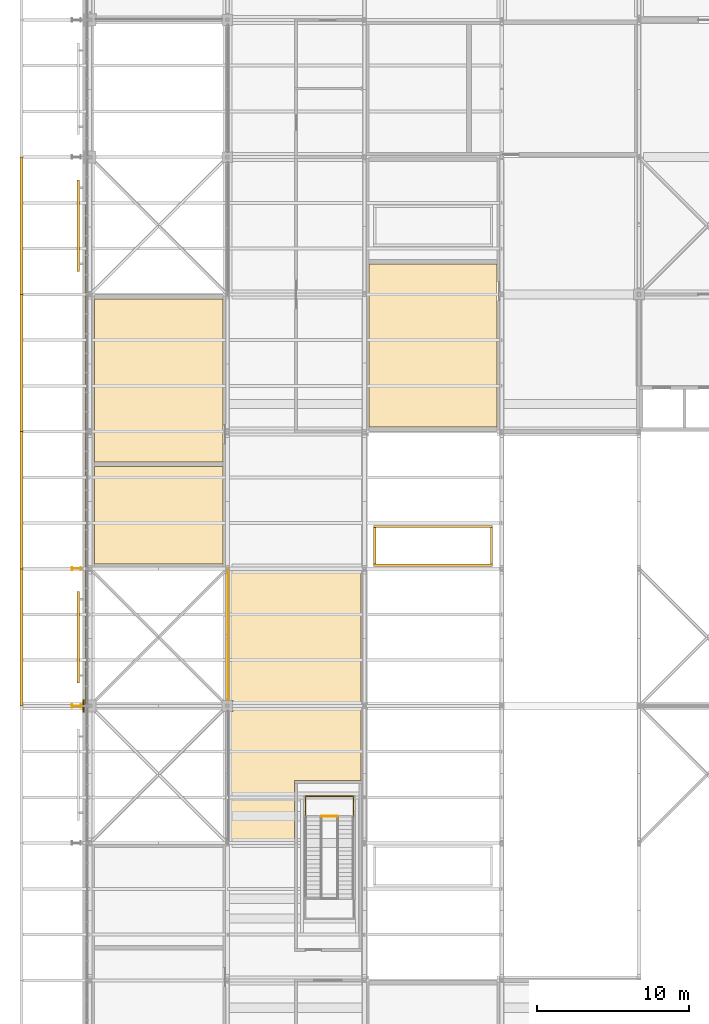
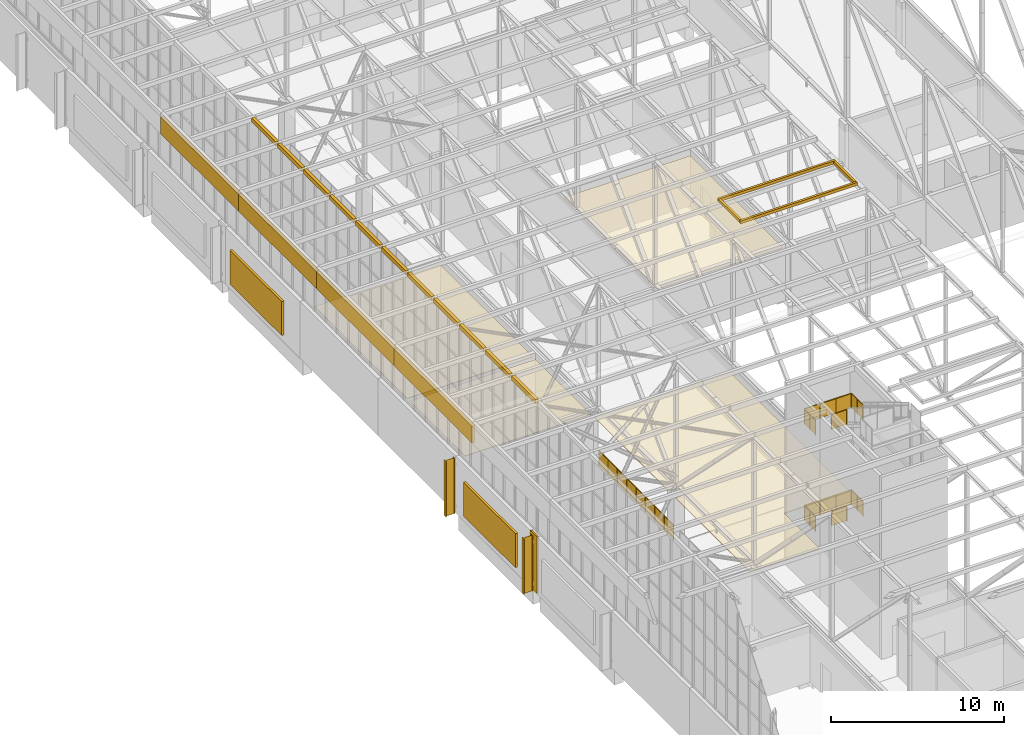
# One storey, part 634 of 646: 24 coverings, 5 railings, 4 shading devices.
"""IFC4 building model written with IfcOpenShell, lengths in metres."""

from ifc_helpers import new_model, si_unit, direction, frame, origin, origin_2d, place, context, subcontext, project, spatial, polyline, rectangle, circle, i_section, outline, extrude, material, layer, layer_set, material_profile, profile_set, type_object, element, save


model = new_model("IFC4")

# Units and contexts
model_context = context("Model", 3, precision=1e-05, world=origin(), true_north=direction((0.0, 1.0)))
body_context = subcontext(model_context, "Body", "Model", "MODEL_VIEW")
ifc_project = project(units=[si_unit("LENGTHUNIT", "METRE"), si_unit("AREAUNIT", "SQUARE_METRE"), si_unit("VOLUMEUNIT", "CUBIC_METRE"), si_unit("PLANEANGLEUNIT", "RADIAN"), si_unit("MASSUNIT", "GRAM", prefix="KILO")], contexts=[model_context])

# Site, building, storey
site_placement = place(None, origin())
site = spatial("IfcSite", under=ifc_project, at=site_placement, CompositionType="ELEMENT")
building_placement = place(site_placement, origin())
building = spatial("IfcBuilding", under=site, at=building_placement, Name="Silverbay Arena", CompositionType="ELEMENT")
storey_placement = place(building_placement, frame((0.0, 0.0, 33.5)))
storey = spatial("IfcBuildingStorey", under=building, at=storey_placement, Name="L05", CompositionType="ELEMENT", Elevation=33.5)

# Coverings
ifc_material_1 = material(Name="Aluminium composite cladding", Category="aluminium")
ifc_layer_1 = layer(ifc_material_1, 0.10009765625)
ifc_layer_set_1 = layer_set([ifc_layer_1], Name="Aluminium composite cladding")
covering_type_1 = type_object("IfcCoveringType", Name="Column cladding 100", PredefinedType="CLADDING", material=ifc_layer_set_1)
covering_1_placement = place(storey_placement, origin())
element("IfcCovering", 1, at=covering_1_placement, inside=storey, type_object=covering_type_1, Name="West column cladding L05 9", PredefinedType="CLADDING", context=body_context, shape_type="SweptSolid", body=[
    extrude(outline(polyline([(53.5, 80.60009765625), (53.60009765625, 80.60009765625), (53.60009765625, 81.39990234375), (53.5, 81.39990234375), (53.5, 80.60009765625)])), origin(), (0.0, 0.0, 1.0), 4.0),
])
ifc_material_2 = material(Name="Fire-resisting board ceiling")
ifc_layer_2 = layer(ifc_material_2, 0.050048828125)
ifc_layer_set_2 = layer_set([ifc_layer_2], Name="Fire-resisting board ceiling")
covering_type_2 = type_object("IfcCoveringType", Name="Fire-resisting ceiling EI 120", PredefinedType="CEILING", material=ifc_layer_set_2)
covering_2_placement = place(storey_placement, frame((0.0, 0.0, 3.5)))
element("IfcCovering", 2, at=covering_2_placement, inside=storey, type_object=covering_type_2, Name="Fire-resisting ceiling 08", PredefinedType="CEILING", context=body_context, shape_type="SweptSolid", body=[
    extrude(outline(polyline([(62.72998046875, 80.590087890625), (62.72998046875, 72.06005859375), (62.97998046875, 72.06005859375), (62.97998046875, 72.030029296875), (63.030029296875, 72.030029296875), (63.030029296875, 72.02001953125), (67.39990234375, 72.02001953125), (67.39990234375, 76.10009765625), (71.77001953125, 76.10009765625), (71.77001953125, 90.02001953125), (63.030029296875, 90.02001953125), (63.030029296875, 89.969970703125), (62.97998046875, 89.969970703125), (62.97998046875, 89.93994140625), (62.72998046875, 89.93994140625), (62.72998046875, 81.409912109375), (62.97998046875, 81.409912109375), (62.97998046875, 81.360107421875), (63.360107421875, 81.360107421875), (63.360107421875, 80.639892578125), (62.97998046875, 80.639892578125), (62.97998046875, 80.590087890625), (62.72998046875, 80.590087890625)])), origin(), (0.0, 0.0, 1.0), 0.050048828125),
])
covering_3_placement = place(storey_placement, frame((0.0, 0.0, 3.5)))
element("IfcCovering", 3, at=covering_3_placement, inside=storey, type_object=covering_type_2, Name="Fire-resisting ceiling 63", PredefinedType="CEILING", context=body_context, shape_type="SweptSolid", body=[
    extrude(outline(polyline([(62.699951171875, 97.0), (62.699951171875, 107.699951171875), (54.300048828125, 107.699951171875), (54.300048828125, 97.0), (62.699951171875, 97.0)])), origin(), (0.0, 0.0, 1.0), 0.050048828125),
])
covering_4_placement = place(storey_placement, frame((0.0, 0.0, 3.5)))
element("IfcCovering", 4, at=covering_4_placement, inside=storey, type_object=covering_type_2, Name="Fire-resisting ceiling 64", PredefinedType="CEILING", context=body_context, shape_type="SweptSolid", body=[
    extrude(outline(polyline([(62.699951171875, 90.300048828125), (62.699951171875, 96.699951171875), (54.300048828125, 96.699951171875), (54.300048828125, 90.300048828125), (62.699951171875, 90.300048828125)])), origin(), (0.0, 0.0, 1.0), 0.050048828125),
])
covering_5_placement = place(storey_placement, frame((0.0, 0.0, 3.5)))
element("IfcCovering", 5, at=covering_5_placement, inside=storey, type_object=covering_type_2, Name="Fire-resisting ceiling 79", PredefinedType="CEILING", context=body_context, shape_type="SweptSolid", body=[
    extrude(outline(polyline([(72.300048828125, 99.300048828125), (80.699951171875, 99.300048828125), (80.699951171875, 110.0), (72.300048828125, 110.0), (72.300048828125, 99.300048828125)])), origin(), (0.0, 0.0, 1.0), 0.050048828125),
])
ifc_material_3 = material(Name="Insulated metal cladding panel")
ifc_layer_3 = layer(ifc_material_3, 0.199951171875)
ifc_layer_set_3 = layer_set([ifc_layer_3], Name="Insulated metal cladding panel")
covering_type_3 = type_object("IfcCoveringType", Name="Gable head closer 200", PredefinedType="CLADDING", material=ifc_layer_set_3)
covering_6_placement = place(storey_placement, frame((0.0, 0.0, 13.0)))
element("IfcCovering", 6, at=covering_6_placement, inside=storey, type_object=covering_type_3, Name="ROOF GABLE HEAD CLOSER west 25", PredefinedType="CLADDING", context=body_context, shape_type="SweptSolid", body=[
    extrude(outline(polyline([(53.68994140625, 81.10009765625), (53.889892578125, 81.10009765625), (53.889892578125, 83.89990234375), (53.68994140625, 83.89990234375), (53.68994140625, 81.10009765625)])), origin(), (0.0, 0.0, 1.0), 0.300048828125),
])
covering_7_placement = place(storey_placement, frame((0.0, 0.0, 13.0)))
element("IfcCovering", 7, at=covering_7_placement, inside=storey, type_object=covering_type_3, Name="ROOF GABLE HEAD CLOSER west 26", PredefinedType="CLADDING", context=body_context, shape_type="SweptSolid", body=[
    extrude(outline(polyline([(53.68994140625, 84.10009765625), (53.889892578125, 84.10009765625), (53.889892578125, 86.89990234375), (53.68994140625, 86.89990234375), (53.68994140625, 84.10009765625)])), origin(), (0.0, 0.0, 1.0), 0.300048828125),
])
covering_8_placement = place(storey_placement, frame((0.0, 0.0, 13.0)))
element("IfcCovering", 8, at=covering_8_placement, inside=storey, type_object=covering_type_3, Name="ROOF GABLE HEAD CLOSER west 27", PredefinedType="CLADDING", context=body_context, shape_type="SweptSolid", body=[
    extrude(outline(polyline([(53.68994140625, 87.10009765625), (53.889892578125, 87.10009765625), (53.889892578125, 89.89990234375), (53.68994140625, 89.89990234375), (53.68994140625, 87.10009765625)])), origin(), (0.0, 0.0, 1.0), 0.300048828125),
])
covering_9_placement = place(storey_placement, frame((0.0, 0.0, 13.0)))
element("IfcCovering", 9, at=covering_9_placement, inside=storey, type_object=covering_type_3, Name="ROOF GABLE HEAD CLOSER west 28", PredefinedType="CLADDING", context=body_context, shape_type="SweptSolid", body=[
    extrude(outline(polyline([(53.68994140625, 90.10009765625), (53.889892578125, 90.10009765625), (53.889892578125, 92.89990234375), (53.68994140625, 92.89990234375), (53.68994140625, 90.10009765625)])), origin(), (0.0, 0.0, 1.0), 0.300048828125),
])
covering_10_placement = place(storey_placement, frame((0.0, 0.0, 13.0)))
element("IfcCovering", 10, at=covering_10_placement, inside=storey, type_object=covering_type_3, Name="ROOF GABLE HEAD CLOSER west 29", PredefinedType="CLADDING", context=body_context, shape_type="SweptSolid", body=[
    extrude(outline(polyline([(53.68994140625, 93.10009765625), (53.889892578125, 93.10009765625), (53.889892578125, 95.89990234375), (53.68994140625, 95.89990234375), (53.68994140625, 93.10009765625)])), origin(), (0.0, 0.0, 1.0), 0.300048828125),
])
covering_11_placement = place(storey_placement, frame((0.0, 0.0, 13.0)))
element("IfcCovering", 11, at=covering_11_placement, inside=storey, type_object=covering_type_3, Name="ROOF GABLE HEAD CLOSER west 30", PredefinedType="CLADDING", context=body_context, shape_type="SweptSolid", body=[
    extrude(outline(polyline([(53.68994140625, 96.10009765625), (53.889892578125, 96.10009765625), (53.889892578125, 98.89990234375), (53.68994140625, 98.89990234375), (53.68994140625, 96.10009765625)])), origin(), (0.0, 0.0, 1.0), 0.300048828125),
])
covering_12_placement = place(storey_placement, frame((0.0, 0.0, 13.0)))
element("IfcCovering", 12, at=covering_12_placement, inside=storey, type_object=covering_type_3, Name="ROOF GABLE HEAD CLOSER west 31", PredefinedType="CLADDING", context=body_context, shape_type="SweptSolid", body=[
    extrude(outline(polyline([(53.68994140625, 99.10009765625), (53.889892578125, 99.10009765625), (53.889892578125, 101.89990234375), (53.68994140625, 101.89990234375), (53.68994140625, 99.10009765625)])), origin(), (0.0, 0.0, 1.0), 0.300048828125),
])
covering_13_placement = place(storey_placement, frame((0.0, 0.0, 13.0)))
element("IfcCovering", 13, at=covering_13_placement, inside=storey, type_object=covering_type_3, Name="ROOF GABLE HEAD CLOSER west 32", PredefinedType="CLADDING", context=body_context, shape_type="SweptSolid", body=[
    extrude(outline(polyline([(53.68994140625, 102.10009765625), (53.889892578125, 102.10009765625), (53.889892578125, 104.89990234375), (53.68994140625, 104.89990234375), (53.68994140625, 102.10009765625)])), origin(), (0.0, 0.0, 1.0), 0.300048828125),
])
covering_14_placement = place(storey_placement, frame((0.0, 0.0, 13.0)))
element("IfcCovering", 14, at=covering_14_placement, inside=storey, type_object=covering_type_3, Name="ROOF GABLE HEAD CLOSER west 33", PredefinedType="CLADDING", context=body_context, shape_type="SweptSolid", body=[
    extrude(outline(polyline([(53.68994140625, 105.10009765625), (53.889892578125, 105.10009765625), (53.889892578125, 107.89990234375), (53.68994140625, 107.89990234375), (53.68994140625, 105.10009765625)])), origin(), (0.0, 0.0, 1.0), 0.300048828125),
])
covering_15_placement = place(storey_placement, frame((0.0, 0.0, 13.0)))
element("IfcCovering", 15, at=covering_15_placement, inside=storey, type_object=covering_type_3, Name="ROOF GABLE HEAD CLOSER west 34", PredefinedType="CLADDING", context=body_context, shape_type="SweptSolid", body=[
    extrude(outline(polyline([(53.68994140625, 108.10009765625), (53.889892578125, 108.10009765625), (53.889892578125, 110.89990234375), (53.68994140625, 110.89990234375), (53.68994140625, 108.10009765625)])), origin(), (0.0, 0.0, 1.0), 0.300048828125),
])
covering_16_placement = place(storey_placement, frame((0.0, 0.0, 13.0)))
element("IfcCovering", 16, at=covering_16_placement, inside=storey, type_object=covering_type_3, Name="ROOF GABLE HEAD CLOSER west 35", PredefinedType="CLADDING", context=body_context, shape_type="SweptSolid", body=[
    extrude(outline(polyline([(53.68994140625, 111.10009765625), (53.889892578125, 111.10009765625), (53.889892578125, 113.89990234375), (53.68994140625, 113.89990234375), (53.68994140625, 111.10009765625)])), origin(), (0.0, 0.0, 1.0), 0.300048828125),
])

# Shading devices
ifc_material_4 = material(Name="Aluminium", Category="aluminium")
shading_device_type_1 = type_object("IfcShadingDeviceType", Name="Louvre screen 6000 x 2400", PredefinedType="JALOUSIE", material=ifc_material_4)
for number, where, z_axis, x_axis, name in (
    (17, (53.22509765625, 85.5, 0.800048828125), (0.0, 0.0, 1.0), (0.0, 1.0, 0.0), "West plant louvre L05 bay 8"),
    (18, (53.22509765625, 112.5, 0.800048828125), (0.0, 0.0, 1.0), (0.0, 1.0, 0.0), "West plant louvre L05 bay 11"),
):
    element("IfcShadingDevice", number, at=place(storey_placement, frame(where, z_axis=z_axis, x_axis=x_axis)), inside=storey, type_object=shading_device_type_1, Name=name, PredefinedType="JALOUSIE", context=body_context, shape_type="SweptSolid", body=[
        extrude(rectangle(XDim=6.0, YDim=0.14990234375, at=origin_2d()), origin(), (0.0, 0.0, 1.0), 2.39990234375),
    ])

# Railing
ifc_material_5 = material(Name="Stainless steel", Category="steel")
railing_type_1 = type_object("IfcRailingType", Name="Opening guard 1100", PredefinedType="GUARDRAIL", material=ifc_material_5)
railing_1_placement = place(storey_placement, frame((63.0400390625, 81.35009765625, 0.0)))
element("IfcRailing", 19, at=railing_1_placement, inside=storey, type_object=railing_type_1, Name="Opening guard L05 end gallery W-inner edge", PredefinedType="GUARDRAIL", context=body_context, shape_type="SweptSolid", body=[
    extrude(circle(Radius=0.02392578125, at=origin_2d()), frame((0.0, 0.0, 1.076171875), z_axis=(0.0, 1.0, 0.0), x_axis=(-1.0, 0.0, 0.0)), (0.0, 0.0, 1.0), 8.64990234375),
    extrude(outline(polyline([(-0.008056640625, 0.050048828125), (1.08935546875, 0.050048828125), (1.08935546875, 1.052978515625), (-0.008056640625, 1.052978515625), (-0.008056640625, 0.050048828125)])), frame((-0.0029296875, 0.0, 0.0), z_axis=(1.0, 0.0, 0.0), x_axis=(0.0, 1.0, 0.0)), (0.0, 0.0, 1.0), 0.006103515625),
    extrude(outline(polyline([(-0.008056640625, 0.050048828125), (1.08935546875, 0.050048828125), (1.08935546875, 1.052978515625), (-0.008056640625, 1.052978515625), (-0.008056640625, 0.050048828125)])), frame((-0.0029296875, 1.081298828125, 0.0), z_axis=(1.0, 0.0, 0.0), x_axis=(0.0, 1.0, 0.0)), (0.0, 0.0, 1.0), 0.006103515625),
    extrude(outline(polyline([(-0.008056640625, 0.050048828125), (1.08935546875, 0.050048828125), (1.08935546875, 1.052978515625), (-0.008056640625, 1.052978515625), (-0.008056640625, 0.050048828125)])), frame((-0.0029296875, 2.16259765625, 0.0), z_axis=(1.0, 0.0, 0.0), x_axis=(0.0, 1.0, 0.0)), (0.0, 0.0, 1.0), 0.006103515625),
    extrude(outline(polyline([(-0.008056640625, 0.050048828125), (1.08935546875, 0.050048828125), (1.08935546875, 1.052978515625), (-0.008056640625, 1.052978515625), (-0.008056640625, 0.050048828125)])), frame((-0.0029296875, 3.24365234375, 0.0), z_axis=(1.0, 0.0, 0.0), x_axis=(0.0, 1.0, 0.0)), (0.0, 0.0, 1.0), 0.006103515625),
    extrude(outline(polyline([(-0.008056640625, 0.050048828125), (1.08935546875, 0.050048828125), (1.08935546875, 1.052978515625), (-0.008056640625, 1.052978515625), (-0.008056640625, 0.050048828125)])), frame((-0.0029296875, 4.324951171875, 0.0), z_axis=(1.0, 0.0, 0.0), x_axis=(0.0, 1.0, 0.0)), (0.0, 0.0, 1.0), 0.006103515625),
    extrude(outline(polyline([(-0.008056640625, 0.050048828125), (1.08935546875, 0.050048828125), (1.08935546875, 1.052978515625), (-0.008056640625, 1.052978515625), (-0.008056640625, 0.050048828125)])), frame((-0.0029296875, 5.40625, 0.0), z_axis=(1.0, 0.0, 0.0), x_axis=(0.0, 1.0, 0.0)), (0.0, 0.0, 1.0), 0.006103515625),
    extrude(outline(polyline([(-0.008056640625, 0.050048828125), (1.08935546875, 0.050048828125), (1.08935546875, 1.052978515625), (-0.008056640625, 1.052978515625), (-0.008056640625, 0.050048828125)])), frame((-0.0029296875, 6.4873046875, 0.0), z_axis=(1.0, 0.0, 0.0), x_axis=(0.0, 1.0, 0.0)), (0.0, 0.0, 1.0), 0.006103515625),
    extrude(outline(polyline([(-0.008056640625, 0.050048828125), (1.08935546875, 0.050048828125), (1.08935546875, 1.052978515625), (-0.008056640625, 1.052978515625), (-0.008056640625, 0.050048828125)])), frame((-0.0029296875, 7.568603515625, 0.0), z_axis=(1.0, 0.0, 0.0), x_axis=(0.0, 1.0, 0.0)), (0.0, 0.0, 1.0), 0.006103515625),
    extrude(circle(Radius=0.02099609375, at=origin_2d()), origin(), (0.0, 0.0, 1.0), 1.052001953125),
    extrude(circle(Radius=0.02099609375, at=origin_2d()), frame((0.0, 1.081298828125, 0.0)), (0.0, 0.0, 1.0), 1.052001953125),
    extrude(circle(Radius=0.02099609375, at=origin_2d()), frame((0.0, 2.16259765625, 0.0)), (0.0, 0.0, 1.0), 1.052001953125),
    extrude(circle(Radius=0.02099609375, at=origin_2d()), frame((0.0, 3.24365234375, 0.0)), (0.0, 0.0, 1.0), 1.052001953125),
    extrude(circle(Radius=0.02099609375, at=origin_2d()), frame((0.0, 4.324951171875, 0.0)), (0.0, 0.0, 1.0), 1.052001953125),
    extrude(circle(Radius=0.02099609375, at=origin_2d()), frame((0.0, 5.40625, 0.0)), (0.0, 0.0, 1.0), 1.052001953125),
    extrude(circle(Radius=0.02099609375, at=origin_2d()), frame((0.0, 6.4873046875, 0.0)), (0.0, 0.0, 1.0), 1.052001953125),
    extrude(circle(Radius=0.02099609375, at=origin_2d()), frame((0.0, 7.568603515625, 0.0)), (0.0, 0.0, 1.0), 1.052001953125),
    extrude(circle(Radius=0.02099609375, at=origin_2d()), frame((0.0, 8.64990234375, 0.0)), (0.0, 0.0, 1.0), 1.052001953125),
])

# Coverings
ifc_material_6 = material(Name="Insulated metal cladding panel")
ifc_layer_4 = layer(ifc_material_6, 0.199951171875)
ifc_layer_set_4 = layer_set([ifc_layer_4], Name="Insulated metal cladding panel")
covering_type_4 = type_object("IfcCoveringType", Name="Roof edge fascia 200", PredefinedType="CLADDING", material=ifc_layer_set_4)
covering_17_placement = place(storey_placement, frame((0.0, 0.0, 11.800048828125)))
element("IfcCovering", 20, at=covering_17_placement, inside=storey, type_object=covering_type_4, Name="ROOF EDGE FASCIA west bay 09", PredefinedType="CLADDING", context=body_context, shape_type="SweptSolid", body=[
    extrude(outline(polyline([(49.39990234375, 81.0), (49.60009765625, 81.0), (49.60009765625, 90.0), (49.39990234375, 90.0), (49.39990234375, 81.0)])), origin(), (0.0, 0.0, 1.0), 1.199951171875),
])
covering_18_placement = place(storey_placement, frame((0.0, 0.0, 11.800048828125)))
element("IfcCovering", 21, at=covering_18_placement, inside=storey, type_object=covering_type_4, Name="ROOF EDGE FASCIA west bay 10", PredefinedType="CLADDING", context=body_context, shape_type="SweptSolid", body=[
    extrude(outline(polyline([(49.39990234375, 90.0), (49.60009765625, 90.0), (49.60009765625, 99.0), (49.39990234375, 99.0), (49.39990234375, 90.0)])), origin(), (0.0, 0.0, 1.0), 1.199951171875),
])
covering_19_placement = place(storey_placement, frame((0.0, 0.0, 11.800048828125)))
element("IfcCovering", 22, at=covering_19_placement, inside=storey, type_object=covering_type_4, Name="ROOF EDGE FASCIA west bay 11", PredefinedType="CLADDING", context=body_context, shape_type="SweptSolid", body=[
    extrude(outline(polyline([(49.39990234375, 99.0), (49.60009765625, 99.0), (49.60009765625, 108.0), (49.39990234375, 108.0), (49.39990234375, 99.0)])), origin(), (0.0, 0.0, 1.0), 1.199951171875),
])
covering_20_placement = place(storey_placement, frame((0.0, 0.0, 11.800048828125)))
element("IfcCovering", 23, at=covering_20_placement, inside=storey, type_object=covering_type_4, Name="ROOF EDGE FASCIA west bay 12", PredefinedType="CLADDING", context=body_context, shape_type="SweptSolid", body=[
    extrude(outline(polyline([(49.39990234375, 108.0), (49.60009765625, 108.0), (49.60009765625, 117.0), (49.39990234375, 117.0), (49.39990234375, 108.0)])), origin(), (0.0, 0.0, 1.0), 1.199951171875),
])
ifc_material_7 = material(Name="Insulated metal curb")
ifc_layer_5 = layer(ifc_material_7, 0.14990234375)
ifc_layer_set_5 = layer_set([ifc_layer_5], Name="Insulated metal curb")
covering_type_5 = type_object("IfcCoveringType", Name="Roof light curb 150", PredefinedType="CLADDING", material=ifc_layer_set_5)
covering_21_placement = place(storey_placement, frame((0.0, 0.0, 13.60009765625)))
element("IfcCovering", 24, at=covering_21_placement, inside=storey, type_object=covering_type_5, Name="ROOF LIGHT CURB 05 S", PredefinedType="CLADDING", context=body_context, shape_type="SweptSolid", body=[
    extrude(outline(polyline([(72.60009765625, 90.14990234375), (80.39990234375, 90.14990234375), (80.39990234375, 90.300048828125), (72.60009765625, 90.300048828125), (72.60009765625, 90.14990234375)])), origin(), (0.0, 0.0, 1.0), 0.199951171875),
])
covering_22_placement = place(storey_placement, frame((0.0, 0.0, 13.60009765625)))
element("IfcCovering", 25, at=covering_22_placement, inside=storey, type_object=covering_type_5, Name="ROOF LIGHT CURB 05 N", PredefinedType="CLADDING", context=body_context, shape_type="SweptSolid", body=[
    extrude(outline(polyline([(72.60009765625, 92.699951171875), (80.39990234375, 92.699951171875), (80.39990234375, 92.85009765625), (72.60009765625, 92.85009765625), (72.60009765625, 92.699951171875)])), origin(), (0.0, 0.0, 1.0), 0.199951171875),
])
covering_23_placement = place(storey_placement, frame((0.0, 0.0, 13.60009765625)))
element("IfcCovering", 26, at=covering_23_placement, inside=storey, type_object=covering_type_5, Name="ROOF LIGHT CURB 05 W", PredefinedType="CLADDING", context=body_context, shape_type="SweptSolid", body=[
    extrude(outline(polyline([(72.60009765625, 90.300048828125), (72.75, 90.300048828125), (72.75, 92.699951171875), (72.60009765625, 92.699951171875), (72.60009765625, 90.300048828125)])), origin(), (0.0, 0.0, 1.0), 0.199951171875),
])
covering_24_placement = place(storey_placement, frame((0.0, 0.0, 13.60009765625)))
element("IfcCovering", 27, at=covering_24_placement, inside=storey, type_object=covering_type_5, Name="ROOF LIGHT CURB 05 E", PredefinedType="CLADDING", context=body_context, shape_type="SweptSolid", body=[
    extrude(outline(polyline([(80.25, 90.300048828125), (80.39990234375, 90.300048828125), (80.39990234375, 92.699951171875), (80.25, 92.699951171875), (80.25, 90.300048828125)])), origin(), (0.0, 0.0, 1.0), 0.199951171875),
])

# Railings
ifc_material_8 = material(Name="Stainless steel", Category="steel")
railing_type_2 = type_object("IfcRailingType", Name="Stair guard 1100", PredefinedType="GUARDRAIL", material=ifc_material_8)
railing_2_placement = place(storey_placement, frame((68.125, 73.719970703125, 3.39990234375)))
element("IfcRailing", 28, at=railing_2_placement, inside=storey, type_object=railing_type_2, Name="Stair RA1 L05 to ROOF landing 1 guard", PredefinedType="GUARDRAIL", context=body_context, shape_type="SweptSolid", body=[
    extrude(circle(Radius=0.02392578125, at=origin_2d()), frame((0.0, 0.0, 1.076171875), z_axis=(0.0, 1.0, 0.0), x_axis=(-1.0, 0.0, 0.0)), (0.0, 0.0, 1.0), 1.35009765625),
    extrude(outline(polyline([(-0.008056640625, 0.050048828125), (0.68310546875, 0.050048828125), (0.68310546875, 1.052978515625), (-0.008056640625, 1.052978515625), (-0.008056640625, 0.050048828125)])), frame((-0.0029296875, 0.0, 0.0), z_axis=(1.0, 0.0, 0.0), x_axis=(0.0, 1.0, 0.0)), (0.0, 0.0, 1.0), 0.006103515625),
    extrude(outline(polyline([(-0.008056640625, 0.050048828125), (0.68310546875, 0.050048828125), (0.68310546875, 1.052978515625), (-0.008056640625, 1.052978515625), (-0.008056640625, 0.050048828125)])), frame((-0.0029296875, 0.675048828125, 0.0), z_axis=(1.0, 0.0, 0.0), x_axis=(0.0, 1.0, 0.0)), (0.0, 0.0, 1.0), 0.006103515625),
    extrude(circle(Radius=0.02392578125, at=origin_2d()), frame((0.0, 1.35009765625, 1.076171875), z_axis=(1.0, 0.0, 0.0), x_axis=(0.0, 1.0, 0.0)), (0.0, 0.0, 1.0), 3.14990234375),
    extrude(outline(polyline([(-0.008056640625, 0.050048828125), (1.057861328125, 0.050048828125), (1.057861328125, 1.052978515625), (-0.008056640625, 1.052978515625), (-0.008056640625, 0.050048828125)])), frame((0.0, 1.35302734375, 0.0), z_axis=(0.0, -1.0, 0.0), x_axis=(1.0, 0.0, 0.0)), (0.0, 0.0, 1.0), 0.006103515625),
    extrude(outline(polyline([(-0.008056640625, 0.050048828125), (1.057861328125, 0.050048828125), (1.057861328125, 1.052978515625), (-0.008056640625, 1.052978515625), (-0.008056640625, 0.050048828125)])), frame((1.050048828125, 1.35302734375, 0.0), z_axis=(0.0, -1.0, 0.0), x_axis=(1.0, 0.0, 0.0)), (0.0, 0.0, 1.0), 0.006103515625),
    extrude(outline(polyline([(-0.008056640625, 0.050048828125), (1.057861328125, 0.050048828125), (1.057861328125, 1.052978515625), (-0.008056640625, 1.052978515625), (-0.008056640625, 0.050048828125)])), frame((2.099853515625, 1.35302734375, 0.0), z_axis=(0.0, -1.0, 0.0), x_axis=(1.0, 0.0, 0.0)), (0.0, 0.0, 1.0), 0.006103515625),
    extrude(circle(Radius=0.02392578125, at=origin_2d()), frame((3.14990234375, 1.35009765625, 1.076171875), z_axis=(0.0, -1.0, 0.0), x_axis=(1.0, 0.0, 0.0)), (0.0, 0.0, 1.0), 1.35009765625),
    extrude(outline(polyline([(-0.008056640625, 0.050048828125), (0.68310546875, 0.050048828125), (0.68310546875, 1.052978515625), (-0.008056640625, 1.052978515625), (-0.008056640625, 0.050048828125)])), frame((3.15283203125, 1.35009765625, 0.0), z_axis=(-1.0, 0.0, 0.0), x_axis=(0.0, -1.0, 0.0)), (0.0, 0.0, 1.0), 0.006103515625),
    extrude(outline(polyline([(-0.008056640625, 0.050048828125), (0.68310546875, 0.050048828125), (0.68310546875, 1.052978515625), (-0.008056640625, 1.052978515625), (-0.008056640625, 0.050048828125)])), frame((3.15283203125, 0.675048828125, 0.0), z_axis=(-1.0, 0.0, 0.0), x_axis=(0.0, -1.0, 0.0)), (0.0, 0.0, 1.0), 0.006103515625),
    extrude(circle(Radius=0.02099609375, at=origin_2d()), origin(), (0.0, 0.0, 1.0), 1.052001953125),
    extrude(circle(Radius=0.02099609375, at=origin_2d()), frame((0.0, 0.675048828125, 0.0)), (0.0, 0.0, 1.0), 1.052001953125),
    extrude(circle(Radius=0.02099609375, at=origin_2d()), frame((0.0, 1.35009765625, 0.0)), (0.0, 0.0, 1.0), 1.052001953125),
    extrude(circle(Radius=0.02099609375, at=origin_2d()), frame((1.050048828125, 1.35009765625, 0.0)), (0.0, 0.0, 1.0), 1.052001953125),
    extrude(circle(Radius=0.02099609375, at=origin_2d()), frame((2.099853515625, 1.35009765625, 0.0)), (0.0, 0.0, 1.0), 1.052001953125),
    extrude(circle(Radius=0.02099609375, at=origin_2d()), frame((3.14990234375, 1.35009765625, 0.0)), (0.0, 0.0, 1.0), 1.052001953125),
    extrude(circle(Radius=0.02099609375, at=origin_2d()), frame((3.14990234375, 0.675048828125, 0.0)), (0.0, 0.0, 1.0), 1.052001953125),
    extrude(circle(Radius=0.02099609375, at=origin_2d()), frame((3.14990234375, 0.0, 0.0)), (0.0, 0.0, 1.0), 1.052001953125),
])
railing_3_placement = place(storey_placement, frame((69.175048828125, 73.77001953125, 3.39990234375)))
element("IfcRailing", 29, at=railing_3_placement, inside=storey, type_object=railing_type_2, Name="Stair RA1 L05 to ROOF landing 1 guard", PredefinedType="GUARDRAIL", context=body_context, shape_type="SweptSolid", body=[
    extrude(circle(Radius=0.02392578125, at=origin_2d()), frame((0.0, 0.0, 1.076171875), z_axis=(1.0, 0.0, 0.0), x_axis=(0.0, 1.0, 0.0)), (0.0, 0.0, 1.0), 1.050048828125),
    extrude(outline(polyline([(-0.008056640625, 0.050048828125), (1.05810546875, 0.050048828125), (1.05810546875, 1.052978515625), (-0.008056640625, 1.052978515625), (-0.008056640625, 0.050048828125)])), frame((0.0, 0.0029296875, 0.0), z_axis=(0.0, -1.0, 0.0), x_axis=(1.0, 0.0, 0.0)), (0.0, 0.0, 1.0), 0.006103515625),
    extrude(circle(Radius=0.02099609375, at=origin_2d()), origin(), (0.0, 0.0, 1.0), 1.052001953125),
    extrude(circle(Radius=0.02099609375, at=origin_2d()), frame((1.050048828125, 0.0, 0.0)), (0.0, 0.0, 1.0), 1.052001953125),
])
railing_4_placement = place(storey_placement, frame((68.125, 73.719970703125, 10.199951171875)))
element("IfcRailing", 30, at=railing_4_placement, inside=storey, type_object=railing_type_2, Name="Stair RA1 L05 to ROOF landing 3 guard", PredefinedType="GUARDRAIL", context=body_context, shape_type="SweptSolid", body=[
    extrude(circle(Radius=0.02392578125, at=origin_2d()), frame((0.0, 0.0, 1.076171875), z_axis=(0.0, 1.0, 0.0), x_axis=(-1.0, 0.0, 0.0)), (0.0, 0.0, 1.0), 1.35009765625),
    extrude(outline(polyline([(-0.008056640625, 0.050048828125), (0.68310546875, 0.050048828125), (0.68310546875, 1.052978515625), (-0.008056640625, 1.052978515625), (-0.008056640625, 0.050048828125)])), frame((-0.0029296875, 0.0, 0.0), z_axis=(1.0, 0.0, 0.0), x_axis=(0.0, 1.0, 0.0)), (0.0, 0.0, 1.0), 0.006103515625),
    extrude(outline(polyline([(-0.008056640625, 0.050048828125), (0.68310546875, 0.050048828125), (0.68310546875, 1.052978515625), (-0.008056640625, 1.052978515625), (-0.008056640625, 0.050048828125)])), frame((-0.0029296875, 0.675048828125, 0.0), z_axis=(1.0, 0.0, 0.0), x_axis=(0.0, 1.0, 0.0)), (0.0, 0.0, 1.0), 0.006103515625),
    extrude(circle(Radius=0.02392578125, at=origin_2d()), frame((0.0, 1.35009765625, 1.076171875), z_axis=(1.0, 0.0, 0.0), x_axis=(0.0, 1.0, 0.0)), (0.0, 0.0, 1.0), 3.14990234375),
    extrude(outline(polyline([(-0.008056640625, 0.050048828125), (1.057861328125, 0.050048828125), (1.057861328125, 1.052978515625), (-0.008056640625, 1.052978515625), (-0.008056640625, 0.050048828125)])), frame((0.0, 1.35302734375, 0.0), z_axis=(0.0, -1.0, 0.0), x_axis=(1.0, 0.0, 0.0)), (0.0, 0.0, 1.0), 0.006103515625),
    extrude(outline(polyline([(-0.008056640625, 0.050048828125), (1.057861328125, 0.050048828125), (1.057861328125, 1.052978515625), (-0.008056640625, 1.052978515625), (-0.008056640625, 0.050048828125)])), frame((1.050048828125, 1.35302734375, 0.0), z_axis=(0.0, -1.0, 0.0), x_axis=(1.0, 0.0, 0.0)), (0.0, 0.0, 1.0), 0.006103515625),
    extrude(outline(polyline([(-0.008056640625, 0.050048828125), (1.057861328125, 0.050048828125), (1.057861328125, 1.052978515625), (-0.008056640625, 1.052978515625), (-0.008056640625, 0.050048828125)])), frame((2.099853515625, 1.35302734375, 0.0), z_axis=(0.0, -1.0, 0.0), x_axis=(1.0, 0.0, 0.0)), (0.0, 0.0, 1.0), 0.006103515625),
    extrude(circle(Radius=0.02392578125, at=origin_2d()), frame((3.14990234375, 1.35009765625, 1.076171875), z_axis=(0.0, -1.0, 0.0), x_axis=(1.0, 0.0, 0.0)), (0.0, 0.0, 1.0), 1.35009765625),
    extrude(outline(polyline([(-0.008056640625, 0.050048828125), (0.68310546875, 0.050048828125), (0.68310546875, 1.052978515625), (-0.008056640625, 1.052978515625), (-0.008056640625, 0.050048828125)])), frame((3.15283203125, 1.35009765625, 0.0), z_axis=(-1.0, 0.0, 0.0), x_axis=(0.0, -1.0, 0.0)), (0.0, 0.0, 1.0), 0.006103515625),
    extrude(outline(polyline([(-0.008056640625, 0.050048828125), (0.68310546875, 0.050048828125), (0.68310546875, 1.052978515625), (-0.008056640625, 1.052978515625), (-0.008056640625, 0.050048828125)])), frame((3.15283203125, 0.675048828125, 0.0), z_axis=(-1.0, 0.0, 0.0), x_axis=(0.0, -1.0, 0.0)), (0.0, 0.0, 1.0), 0.006103515625),
    extrude(circle(Radius=0.02099609375, at=origin_2d()), origin(), (0.0, 0.0, 1.0), 1.052001953125),
    extrude(circle(Radius=0.02099609375, at=origin_2d()), frame((0.0, 0.675048828125, 0.0)), (0.0, 0.0, 1.0), 1.052001953125),
    extrude(circle(Radius=0.02099609375, at=origin_2d()), frame((0.0, 1.35009765625, 0.0)), (0.0, 0.0, 1.0), 1.052001953125),
    extrude(circle(Radius=0.02099609375, at=origin_2d()), frame((1.050048828125, 1.35009765625, 0.0)), (0.0, 0.0, 1.0), 1.052001953125),
    extrude(circle(Radius=0.02099609375, at=origin_2d()), frame((2.099853515625, 1.35009765625, 0.0)), (0.0, 0.0, 1.0), 1.052001953125),
    extrude(circle(Radius=0.02099609375, at=origin_2d()), frame((3.14990234375, 1.35009765625, 0.0)), (0.0, 0.0, 1.0), 1.052001953125),
    extrude(circle(Radius=0.02099609375, at=origin_2d()), frame((3.14990234375, 0.675048828125, 0.0)), (0.0, 0.0, 1.0), 1.052001953125),
    extrude(circle(Radius=0.02099609375, at=origin_2d()), frame((3.14990234375, 0.0, 0.0)), (0.0, 0.0, 1.0), 1.052001953125),
])
railing_5_placement = place(storey_placement, frame((69.175048828125, 73.77001953125, 10.199951171875)))
element("IfcRailing", 31, at=railing_5_placement, inside=storey, type_object=railing_type_2, Name="Stair RA1 L05 to ROOF landing 3 guard", PredefinedType="GUARDRAIL", context=body_context, shape_type="SweptSolid", body=[
    extrude(circle(Radius=0.02392578125, at=origin_2d()), frame((0.0, 0.0, 1.076171875), z_axis=(1.0, 0.0, 0.0), x_axis=(0.0, 1.0, 0.0)), (0.0, 0.0, 1.0), 1.050048828125),
    extrude(outline(polyline([(-0.008056640625, 0.050048828125), (1.05810546875, 0.050048828125), (1.05810546875, 1.052978515625), (-0.008056640625, 1.052978515625), (-0.008056640625, 0.050048828125)])), frame((0.0, 0.0029296875, 0.0), z_axis=(0.0, -1.0, 0.0), x_axis=(1.0, 0.0, 0.0)), (0.0, 0.0, 1.0), 0.006103515625),
    extrude(circle(Radius=0.02099609375, at=origin_2d()), origin(), (0.0, 0.0, 1.0), 1.052001953125),
    extrude(circle(Radius=0.02099609375, at=origin_2d()), frame((1.050048828125, 0.0, 0.0)), (0.0, 0.0, 1.0), 1.052001953125),
])

# Shading devices
ifc_material_9 = material(Name="Steel S355", Category="steel")
ifc_material_profile = material_profile(ifc_material_9, i_section(OverallWidth=0.2275390625, OverallDepth=0.6025390625, WebThickness=0.010498046875, FlangeThickness=0.014892578125, at=origin_2d()), Name="UB 610x229x101")
ifc_profile_set = profile_set([ifc_material_profile], Name="Steel S355")
shading_device_type_2 = type_object("IfcShadingDeviceType", Name="Steel fin UB 610x229x101", PredefinedType="USERDEFINED", material=ifc_profile_set)
for number, where, z_axis, x_axis, name in (
    (32, (53.0986328125, 81.0, 0.0), (0.0, 0.0, 1.0), (0.0, 1.0, 0.0), "Steel fin W L05 14"),
    (33, (53.0986328125, 90.0, 0.0), (0.0, 0.0, 1.0), (0.0, 1.0, 0.0), "Steel fin W L05 16"),
):
    element("IfcShadingDevice", number, at=place(storey_placement, frame(where, z_axis=z_axis, x_axis=x_axis)), inside=storey, type_object=shading_device_type_2, Name=name, ObjectType="FIN", PredefinedType="USERDEFINED", context=body_context, shape_type="SweptSolid", body=[
        extrude(i_section(OverallWidth=0.2275390625, OverallDepth=0.6025390625, WebThickness=0.010498046875, FlangeThickness=0.014892578125, at=origin_2d()), origin(), (0.0, 0.0, 1.0), 3.93994140625),
    ])

save(model, "model.ifc")
